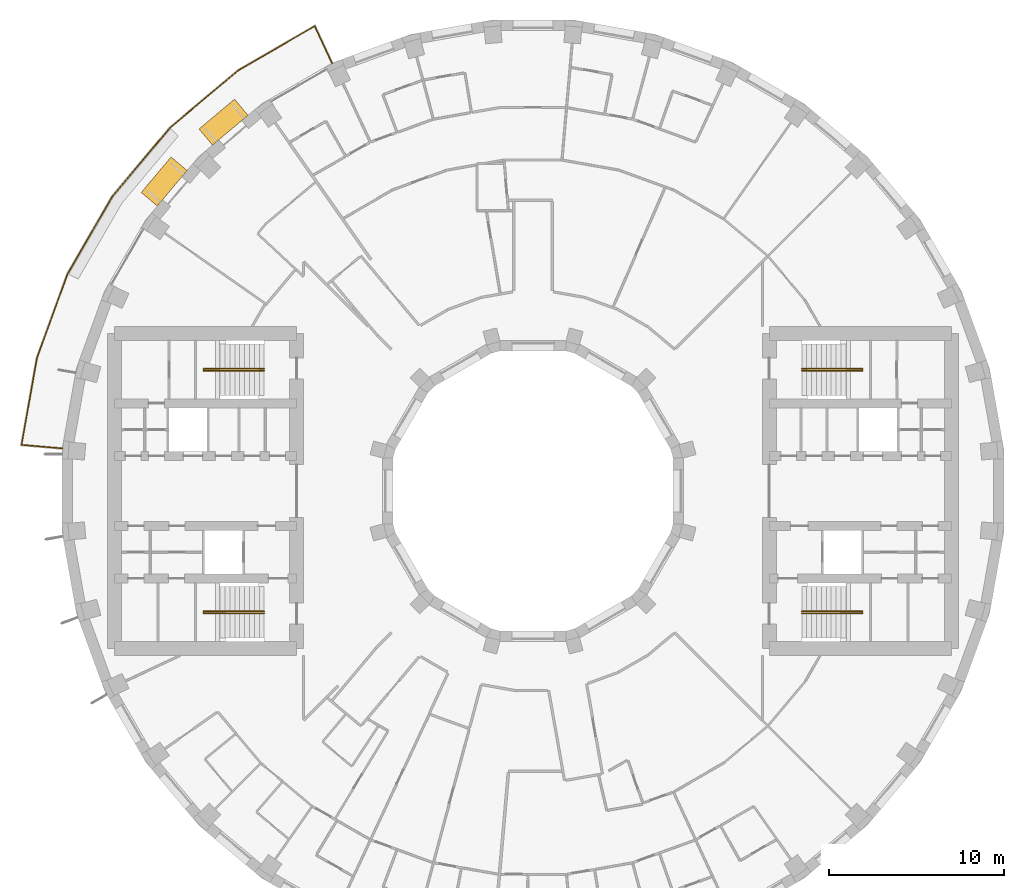
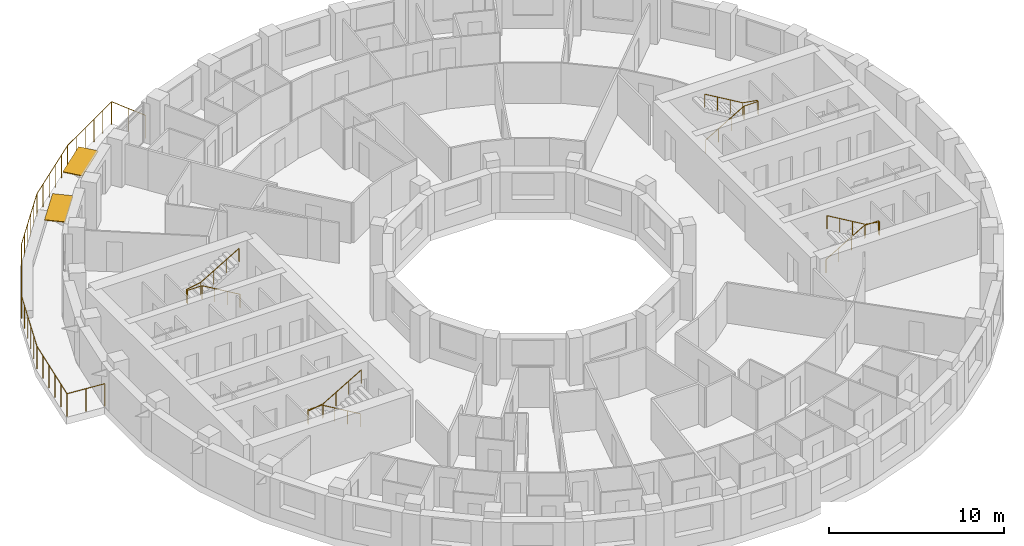
# One storey, part 15 of 15: 5 railings, 2 shading devices.
"""IFC4 building model written with IfcOpenShell, lengths in metres."""

from ifc_helpers import new_model, si_unit, direction, frame, origin, origin_2d, place, context, subcontext, project, spatial, rectangle, circle, extrude, material, layer, layer_set, type_object, element, save


model = new_model("IFC4")

# Units and contexts
model_context = context("Model", 3, precision=1e-05, world=origin(), true_north=direction((0.0, 1.0)))
body_context = subcontext(model_context, "Body", "Model", "MODEL_VIEW")
ifc_project = project(units=[si_unit("LENGTHUNIT", "METRE"), si_unit("AREAUNIT", "SQUARE_METRE"), si_unit("VOLUMEUNIT", "CUBIC_METRE"), si_unit("PLANEANGLEUNIT", "RADIAN"), si_unit("MASSUNIT", "GRAM", prefix="KILO")], contexts=[model_context])

# Site, building, storey
site_placement = place(None, origin())
site = spatial("IfcSite", under=ifc_project, at=site_placement, CompositionType="ELEMENT")
building_placement = place(site_placement, origin())
building = spatial("IfcBuilding", under=site, at=building_placement, Name="Saqina Gate Tower", CompositionType="ELEMENT")
storey_placement = place(building_placement, frame((0.0, 0.0, 108.39990234375)))
storey = spatial("IfcBuildingStorey", under=building, at=storey_placement, Name="L30", CompositionType="ELEMENT", Elevation=108.39990234375)

# Shading devices
ifc_material_1 = material(Name="Aluminium and fabric awning", Category="aluminium")
ifc_layer = layer(ifc_material_1, 0.050048828125)
ifc_layer_set = layer_set([ifc_layer], Name="AW-TERRACE")
shading_device_type = type_object("IfcShadingDeviceType", Name="AW-TERRACE", PredefinedType="AWNING", material=ifc_layer_set)
for number, where, z_axis, x_axis, name in (
    (1, (-17.6748046875, 21.064208984375, 2.52490234375), (0.0, 0.0, 1.0), (-0.766044443119, -0.642787609687, 0.0), "Terrace awning L30 facet 13"),
    (2, (-21.064208984375, 17.6748046875, 2.52490234375), (0.0, 0.0, 1.0), (-0.642787609687, -0.766044443119, 0.0), "Terrace awning L30 facet 14"),
):
    element("IfcShadingDevice", number, at=place(storey_placement, frame(where, z_axis=z_axis, x_axis=x_axis)), inside=storey, type_object=shading_device_type, Name=name, PredefinedType="AWNING", context=body_context, shape_type="SweptSolid", body=[
        extrude(rectangle(XDim=2.647705078125, YDim=1.199951171875, at=origin_2d()), origin(), (0.0, 0.0, 1.0), 0.050048828125),
    ])

# Railings
ifc_material_2 = material(Name="Stainless steel", Category="steel")
railing_type_1 = type_object("IfcRailingType", Name="RL-TERRACE", PredefinedType="GUARDRAIL", material=ifc_material_2)
railing_1_placement = place(storey_placement, frame((-11.457763671875, 24.382080078125, 0.0)))
element("IfcRailing", 3, at=railing_1_placement, inside=storey, type_object=railing_type_1, Name="Terrace guard L30", PredefinedType="GUARDRAIL", context=body_context, shape_type="SweptSolid", body=[
    extrude(circle(Radius=0.02392578125, at=origin_2d()), frame((0.0, 0.0, 1.576171875), z_axis=(-0.422600102855, 0.906316254443, 0.0), x_axis=(-0.906316254443, -0.422600102855, 0.0)), (0.0, 0.0, 1.0), 2.388916015625),
    extrude(circle(Radius=0.02392578125, at=origin_2d()), frame((-1.009521484375, 2.1650390625, 1.576171875), z_axis=(-0.86534767014, -0.501172036115, 0.0), x_axis=(0.501172036115, -0.86534767014, 0.0)), (0.0, 0.0, 1.0), 5.03271484375),
    extrude(circle(Radius=0.02392578125, at=origin_2d()), frame((-5.364501953125, -0.357177734375, 1.576171875), z_axis=(-0.766020862158, -0.642815711334, 0.0), x_axis=(0.642815711334, -0.766020862158, 0.0)), (0.0, 0.0, 1.0), 5.112548828125),
    extrude(circle(Radius=0.02392578125, at=origin_2d()), frame((-9.28076171875, -3.6435546875, 1.576171875), z_axis=(-0.642815711334, -0.766020862158, 0.0), x_axis=(0.766020862158, -0.642815711334, 0.0)), (0.0, 0.0, 1.0), 5.112548828125),
    extrude(circle(Radius=0.02392578125, at=origin_2d()), frame((-12.567138671875, -7.559814453125, 1.576171875), z_axis=(-0.500011827544, -0.866018575041, 0.0), x_axis=(0.866018575041, -0.500011827544, 0.0)), (0.0, 0.0, 1.0), 5.1123046875),
    extrude(circle(Radius=0.02392578125, at=origin_2d()), frame((-15.123291015625, -11.987060546875, 1.576171875), z_axis=(-0.342011445423, -0.939695786518, 0.0), x_axis=(0.939695786518, -0.342011445423, 0.0)), (0.0, 0.0, 1.0), 5.112548828125),
    extrude(circle(Radius=0.02392578125, at=origin_2d()), frame((-16.871826171875, -16.791259765625, 1.576171875), z_axis=(-0.174986307817, -0.984570866965, 0.0), x_axis=(0.984570866965, -0.174986307817, 0.0)), (0.0, 0.0, 1.0), 5.032470703125),
    extrude(circle(Radius=0.02392578125, at=origin_2d()), frame((-17.75244140625, -21.74609375, 1.576171875), z_axis=(0.996192497087, -0.087180896688, 0.0), x_axis=(0.087180896688, 0.996192497087, 0.0)), (0.0, 0.0, 1.0), 2.388671875),
    extrude(circle(Radius=0.02099609375, at=origin_2d()), origin(), (0.0, 0.0, 1.0), 1.552001953125),
    extrude(circle(Radius=0.02099609375, at=origin_2d()), frame((-0.5048828125, 1.08251953125, 0.0)), (0.0, 0.0, 1.0), 1.552001953125),
    extrude(circle(Radius=0.02099609375, at=origin_2d()), frame((-1.009521484375, 2.1650390625, 0.0)), (0.0, 0.0, 1.0), 1.552001953125),
    extrude(circle(Radius=0.02099609375, at=origin_2d()), frame((-1.880615234375, 1.66064453125, 0.0)), (0.0, 0.0, 1.0), 1.552001953125),
    extrude(circle(Radius=0.02099609375, at=origin_2d()), frame((-2.75146484375, 1.15625, 0.0)), (0.0, 0.0, 1.0), 1.552001953125),
    extrude(circle(Radius=0.02099609375, at=origin_2d()), frame((-3.62255859375, 0.651611328125, 0.0)), (0.0, 0.0, 1.0), 1.552001953125),
    extrude(circle(Radius=0.02099609375, at=origin_2d()), frame((-4.493408203125, 0.147216796875, 0.0)), (0.0, 0.0, 1.0), 1.552001953125),
    extrude(circle(Radius=0.02099609375, at=origin_2d()), frame((-5.364501953125, -0.357177734375, 0.0)), (0.0, 0.0, 1.0), 1.552001953125),
    extrude(circle(Radius=0.02099609375, at=origin_2d()), frame((-6.147705078125, -1.014404296875, 0.0)), (0.0, 0.0, 1.0), 1.552001953125),
    extrude(circle(Radius=0.02099609375, at=origin_2d()), frame((-6.930908203125, -1.671630859375, 0.0)), (0.0, 0.0, 1.0), 1.552001953125),
    extrude(circle(Radius=0.02099609375, at=origin_2d()), frame((-7.71435546875, -2.3291015625, 0.0)), (0.0, 0.0, 1.0), 1.552001953125),
    extrude(circle(Radius=0.02099609375, at=origin_2d()), frame((-8.49755859375, -2.986328125, 0.0)), (0.0, 0.0, 1.0), 1.552001953125),
    extrude(circle(Radius=0.02099609375, at=origin_2d()), frame((-9.28076171875, -3.6435546875, 0.0)), (0.0, 0.0, 1.0), 1.552001953125),
    extrude(circle(Radius=0.02099609375, at=origin_2d()), frame((-9.93798828125, -4.4267578125, 0.0)), (0.0, 0.0, 1.0), 1.552001953125),
    extrude(circle(Radius=0.02099609375, at=origin_2d()), frame((-10.59521484375, -5.2099609375, 0.0)), (0.0, 0.0, 1.0), 1.552001953125),
    extrude(circle(Radius=0.02099609375, at=origin_2d()), frame((-11.252685546875, -5.993408203125, 0.0)), (0.0, 0.0, 1.0), 1.552001953125),
    extrude(circle(Radius=0.02099609375, at=origin_2d()), frame((-11.909912109375, -6.776611328125, 0.0)), (0.0, 0.0, 1.0), 1.552001953125),
    extrude(circle(Radius=0.02099609375, at=origin_2d()), frame((-12.567138671875, -7.559814453125, 0.0)), (0.0, 0.0, 1.0), 1.552001953125),
    extrude(circle(Radius=0.02099609375, at=origin_2d()), frame((-13.078369140625, -8.4453125, 0.0)), (0.0, 0.0, 1.0), 1.552001953125),
    extrude(circle(Radius=0.02099609375, at=origin_2d()), frame((-13.589599609375, -9.330810546875, 0.0)), (0.0, 0.0, 1.0), 1.552001953125),
    extrude(circle(Radius=0.02099609375, at=origin_2d()), frame((-14.100830078125, -10.216064453125, 0.0)), (0.0, 0.0, 1.0), 1.552001953125),
    extrude(circle(Radius=0.02099609375, at=origin_2d()), frame((-14.612060546875, -11.1015625, 0.0)), (0.0, 0.0, 1.0), 1.552001953125),
    extrude(circle(Radius=0.02099609375, at=origin_2d()), frame((-15.123291015625, -11.987060546875, 0.0)), (0.0, 0.0, 1.0), 1.552001953125),
    extrude(circle(Radius=0.02099609375, at=origin_2d()), frame((-15.472900390625, -12.947998046875, 0.0)), (0.0, 0.0, 1.0), 1.552001953125),
    extrude(circle(Radius=0.02099609375, at=origin_2d()), frame((-15.82275390625, -13.90869140625, 0.0)), (0.0, 0.0, 1.0), 1.552001953125),
    extrude(circle(Radius=0.02099609375, at=origin_2d()), frame((-16.17236328125, -14.86962890625, 0.0)), (0.0, 0.0, 1.0), 1.552001953125),
    extrude(circle(Radius=0.02099609375, at=origin_2d()), frame((-16.522216796875, -15.830322265625, 0.0)), (0.0, 0.0, 1.0), 1.552001953125),
    extrude(circle(Radius=0.02099609375, at=origin_2d()), frame((-16.871826171875, -16.791259765625, 0.0)), (0.0, 0.0, 1.0), 1.552001953125),
    extrude(circle(Radius=0.02099609375, at=origin_2d()), frame((-17.0478515625, -17.7822265625, 0.0)), (0.0, 0.0, 1.0), 1.552001953125),
    extrude(circle(Radius=0.02099609375, at=origin_2d()), frame((-17.22412109375, -18.773193359375, 0.0)), (0.0, 0.0, 1.0), 1.552001953125),
    extrude(circle(Radius=0.02099609375, at=origin_2d()), frame((-17.400146484375, -19.76416015625, 0.0)), (0.0, 0.0, 1.0), 1.552001953125),
    extrude(circle(Radius=0.02099609375, at=origin_2d()), frame((-17.576416015625, -20.755126953125, 0.0)), (0.0, 0.0, 1.0), 1.552001953125),
    extrude(circle(Radius=0.02099609375, at=origin_2d()), frame((-17.75244140625, -21.74609375, 0.0)), (0.0, 0.0, 1.0), 1.552001953125),
    extrude(circle(Radius=0.02099609375, at=origin_2d()), frame((-16.5625, -21.85009765625, 0.0)), (0.0, 0.0, 1.0), 1.552001953125),
    extrude(circle(Radius=0.02099609375, at=origin_2d()), frame((-15.372802734375, -21.954345703125, 0.0)), (0.0, 0.0, 1.0), 1.552001953125),
])
ifc_material_3 = material(Name="Stainless steel", Category="steel")
railing_type_2 = type_object("IfcRailingType", Name="STAIR HANDRAIL", PredefinedType="HANDRAIL", material=ifc_material_3)
railing_2_placement = place(storey_placement, frame((15.35009765625, 6.86669921875, 0.1650390625)))
element("IfcRailing", 4, at=railing_2_placement, inside=storey, type_object=railing_type_2, Name="EXIT STAIR 1 HANDRAIL", PredefinedType="HANDRAIL", context=body_context, shape_type="SweptSolid", body=[
    extrude(circle(Radius=0.02392578125, at=origin_2d()), frame((0.0, 0.0, 0.92578125), z_axis=(0.86152411907, 0.0, 0.507716645641), x_axis=(0.0, 1.0, 0.0)), (0.0, 0.0, 1.0), 2.925048828125),
    extrude(circle(Radius=0.02392578125, at=origin_2d()), frame((2.52001953125, 0.0, 2.4111328125), z_axis=(1.0, 0.0, 0.0), x_axis=(0.0, 1.0, 0.0)), (0.0, 0.0, 1.0), 0.949951171875),
    extrude(circle(Radius=0.02392578125, at=origin_2d()), frame((3.469970703125, 0.0, 2.4111328125), z_axis=(0.0, 1.0, 0.0), x_axis=(-1.0, 0.0, 0.0)), (0.0, 0.0, 1.0), 0.11669921875),
    extrude(circle(Radius=0.02392578125, at=origin_2d()), frame((3.469970703125, 0.11669921875, 2.4111328125), z_axis=(-0.985241474778, 0.0, 0.171170197109), x_axis=(0.0, -1.0, 0.0)), (0.0, 0.0, 1.0), 0.964111328125),
    extrude(circle(Radius=0.02392578125, at=origin_2d()), frame((2.52001953125, 0.11669921875, 2.576171875), z_axis=(-0.861560626758, 0.0, 0.507654692109), x_axis=(0.0, -1.0, 0.0)), (0.0, 0.0, 1.0), 2.925048828125),
    extrude(circle(Radius=0.02099609375, at=origin_2d()), origin(), (0.0, 0.0, 1.0), 0.90185546875),
    extrude(circle(Radius=0.02099609375, at=origin_2d()), frame((0.840087890625, 0.0, 0.4951171875)), (0.0, 0.0, 1.0), 0.90185546875),
    extrude(circle(Radius=0.02099609375, at=origin_2d()), frame((1.679931640625, 0.0, 0.989990234375)), (0.0, 0.0, 1.0), 0.90185546875),
    extrude(circle(Radius=0.02099609375, at=origin_2d()), frame((2.52001953125, 0.0, 1.485107421875)), (0.0, 0.0, 1.0), 0.90185546875),
    extrude(circle(Radius=0.02099609375, at=origin_2d()), frame((3.469970703125, 0.0, 1.485107421875)), (0.0, 0.0, 1.0), 0.90185546875),
    extrude(circle(Radius=0.02099609375, at=origin_2d()), frame((3.469970703125, 0.11669921875, 1.485107421875)), (0.0, 0.0, 1.0), 0.90185546875),
    extrude(circle(Radius=0.02099609375, at=origin_2d()), frame((2.52001953125, 0.11669921875, 1.650146484375)), (0.0, 0.0, 1.0), 0.90185546875),
    extrude(circle(Radius=0.02099609375, at=origin_2d()), frame((1.679931640625, 0.11669921875, 2.14501953125)), (0.0, 0.0, 1.0), 0.90185546875),
    extrude(circle(Radius=0.02099609375, at=origin_2d()), frame((0.840087890625, 0.11669921875, 2.64013671875)), (0.0, 0.0, 1.0), 0.90185546875),
    extrude(circle(Radius=0.02099609375, at=origin_2d()), frame((0.0, 0.11669921875, 3.135009765625)), (0.0, 0.0, 1.0), 0.90185546875),
])
railing_3_placement = place(storey_placement, frame((15.35009765625, -6.86669921875, 0.1650390625)))
element("IfcRailing", 5, at=railing_3_placement, inside=storey, type_object=railing_type_2, Name="EXIT STAIR 2 HANDRAIL", PredefinedType="HANDRAIL", context=body_context, shape_type="SweptSolid", body=[
    extrude(circle(Radius=0.02392578125, at=origin_2d()), frame((0.0, 0.0, 0.92578125), z_axis=(0.86152411907, 0.0, 0.507716645641), x_axis=(0.0, 1.0, 0.0)), (0.0, 0.0, 1.0), 2.925048828125),
    extrude(circle(Radius=0.02392578125, at=origin_2d()), frame((2.52001953125, 0.0, 2.4111328125), z_axis=(1.0, 0.0, 0.0), x_axis=(0.0, 1.0, 0.0)), (0.0, 0.0, 1.0), 0.949951171875),
    extrude(circle(Radius=0.02392578125, at=origin_2d()), frame((3.469970703125, 0.0, 2.4111328125), z_axis=(0.0, -1.0, 0.0), x_axis=(1.0, 0.0, 0.0)), (0.0, 0.0, 1.0), 0.11669921875),
    extrude(circle(Radius=0.02392578125, at=origin_2d()), frame((3.469970703125, -0.11669921875, 2.4111328125), z_axis=(-0.985241474778, 0.0, 0.171170197109), x_axis=(0.0, -1.0, 0.0)), (0.0, 0.0, 1.0), 0.964111328125),
    extrude(circle(Radius=0.02392578125, at=origin_2d()), frame((2.52001953125, -0.11669921875, 2.576171875), z_axis=(-0.861560626758, 0.0, 0.507654692109), x_axis=(0.0, -1.0, 0.0)), (0.0, 0.0, 1.0), 2.925048828125),
    extrude(circle(Radius=0.02099609375, at=origin_2d()), origin(), (0.0, 0.0, 1.0), 0.90185546875),
    extrude(circle(Radius=0.02099609375, at=origin_2d()), frame((0.840087890625, 0.0, 0.4951171875)), (0.0, 0.0, 1.0), 0.90185546875),
    extrude(circle(Radius=0.02099609375, at=origin_2d()), frame((1.679931640625, 0.0, 0.989990234375)), (0.0, 0.0, 1.0), 0.90185546875),
    extrude(circle(Radius=0.02099609375, at=origin_2d()), frame((2.52001953125, 0.0, 1.485107421875)), (0.0, 0.0, 1.0), 0.90185546875),
    extrude(circle(Radius=0.02099609375, at=origin_2d()), frame((3.469970703125, 0.0, 1.485107421875)), (0.0, 0.0, 1.0), 0.90185546875),
    extrude(circle(Radius=0.02099609375, at=origin_2d()), frame((3.469970703125, -0.11669921875, 1.485107421875)), (0.0, 0.0, 1.0), 0.90185546875),
    extrude(circle(Radius=0.02099609375, at=origin_2d()), frame((2.52001953125, -0.11669921875, 1.650146484375)), (0.0, 0.0, 1.0), 0.90185546875),
    extrude(circle(Radius=0.02099609375, at=origin_2d()), frame((1.679931640625, -0.11669921875, 2.14501953125)), (0.0, 0.0, 1.0), 0.90185546875),
    extrude(circle(Radius=0.02099609375, at=origin_2d()), frame((0.840087890625, -0.11669921875, 2.64013671875)), (0.0, 0.0, 1.0), 0.90185546875),
    extrude(circle(Radius=0.02099609375, at=origin_2d()), frame((0.0, -0.11669921875, 3.135009765625)), (0.0, 0.0, 1.0), 0.90185546875),
])
railing_4_placement = place(storey_placement, frame((-15.35009765625, 6.86669921875, 0.1650390625)))
element("IfcRailing", 6, at=railing_4_placement, inside=storey, type_object=railing_type_2, Name="EXIT STAIR 3 HANDRAIL", PredefinedType="HANDRAIL", context=body_context, shape_type="SweptSolid", body=[
    extrude(circle(Radius=0.02392578125, at=origin_2d()), frame((0.0, 0.0, 0.92578125), z_axis=(-0.86152411907, 0.0, 0.507716645641), x_axis=(0.0, -1.0, 0.0)), (0.0, 0.0, 1.0), 2.925048828125),
    extrude(circle(Radius=0.02392578125, at=origin_2d()), frame((-2.52001953125, 0.0, 2.4111328125), z_axis=(-1.0, 0.0, 0.0), x_axis=(0.0, -1.0, 0.0)), (0.0, 0.0, 1.0), 0.949951171875),
    extrude(circle(Radius=0.02392578125, at=origin_2d()), frame((-3.469970703125, 0.0, 2.4111328125), z_axis=(0.0, 1.0, 0.0), x_axis=(-1.0, 0.0, 0.0)), (0.0, 0.0, 1.0), 0.11669921875),
    extrude(circle(Radius=0.02392578125, at=origin_2d()), frame((-3.469970703125, 0.11669921875, 2.4111328125), z_axis=(0.985241474778, 0.0, 0.171170197109), x_axis=(0.0, 1.0, 0.0)), (0.0, 0.0, 1.0), 0.964111328125),
    extrude(circle(Radius=0.02392578125, at=origin_2d()), frame((-2.52001953125, 0.11669921875, 2.576171875), z_axis=(0.861560626758, 0.0, 0.507654692109), x_axis=(0.0, 1.0, 0.0)), (0.0, 0.0, 1.0), 2.925048828125),
    extrude(circle(Radius=0.02099609375, at=origin_2d()), origin(), (0.0, 0.0, 1.0), 0.90185546875),
    extrude(circle(Radius=0.02099609375, at=origin_2d()), frame((-0.840087890625, 0.0, 0.4951171875)), (0.0, 0.0, 1.0), 0.90185546875),
    extrude(circle(Radius=0.02099609375, at=origin_2d()), frame((-1.679931640625, 0.0, 0.989990234375)), (0.0, 0.0, 1.0), 0.90185546875),
    extrude(circle(Radius=0.02099609375, at=origin_2d()), frame((-2.52001953125, 0.0, 1.485107421875)), (0.0, 0.0, 1.0), 0.90185546875),
    extrude(circle(Radius=0.02099609375, at=origin_2d()), frame((-3.469970703125, 0.0, 1.485107421875)), (0.0, 0.0, 1.0), 0.90185546875),
    extrude(circle(Radius=0.02099609375, at=origin_2d()), frame((-3.469970703125, 0.11669921875, 1.485107421875)), (0.0, 0.0, 1.0), 0.90185546875),
    extrude(circle(Radius=0.02099609375, at=origin_2d()), frame((-2.52001953125, 0.11669921875, 1.650146484375)), (0.0, 0.0, 1.0), 0.90185546875),
    extrude(circle(Radius=0.02099609375, at=origin_2d()), frame((-1.679931640625, 0.11669921875, 2.14501953125)), (0.0, 0.0, 1.0), 0.90185546875),
    extrude(circle(Radius=0.02099609375, at=origin_2d()), frame((-0.840087890625, 0.11669921875, 2.64013671875)), (0.0, 0.0, 1.0), 0.90185546875),
    extrude(circle(Radius=0.02099609375, at=origin_2d()), frame((0.0, 0.11669921875, 3.135009765625)), (0.0, 0.0, 1.0), 0.90185546875),
])
railing_5_placement = place(storey_placement, frame((-15.35009765625, -6.86669921875, 0.1650390625)))
element("IfcRailing", 7, at=railing_5_placement, inside=storey, type_object=railing_type_2, Name="EXIT STAIR 4 HANDRAIL", PredefinedType="HANDRAIL", context=body_context, shape_type="SweptSolid", body=[
    extrude(circle(Radius=0.02392578125, at=origin_2d()), frame((0.0, 0.0, 0.92578125), z_axis=(-0.86152411907, 0.0, 0.507716645641), x_axis=(0.0, -1.0, 0.0)), (0.0, 0.0, 1.0), 2.925048828125),
    extrude(circle(Radius=0.02392578125, at=origin_2d()), frame((-2.52001953125, 0.0, 2.4111328125), z_axis=(-1.0, 0.0, 0.0), x_axis=(0.0, -1.0, 0.0)), (0.0, 0.0, 1.0), 0.949951171875),
    extrude(circle(Radius=0.02392578125, at=origin_2d()), frame((-3.469970703125, 0.0, 2.4111328125), z_axis=(0.0, -1.0, 0.0), x_axis=(1.0, 0.0, 0.0)), (0.0, 0.0, 1.0), 0.11669921875),
    extrude(circle(Radius=0.02392578125, at=origin_2d()), frame((-3.469970703125, -0.11669921875, 2.4111328125), z_axis=(0.985241474778, 0.0, 0.171170197109), x_axis=(0.0, 1.0, 0.0)), (0.0, 0.0, 1.0), 0.964111328125),
    extrude(circle(Radius=0.02392578125, at=origin_2d()), frame((-2.52001953125, -0.11669921875, 2.576171875), z_axis=(0.861560626758, 0.0, 0.507654692109), x_axis=(0.0, 1.0, 0.0)), (0.0, 0.0, 1.0), 2.925048828125),
    extrude(circle(Radius=0.02099609375, at=origin_2d()), origin(), (0.0, 0.0, 1.0), 0.90185546875),
    extrude(circle(Radius=0.02099609375, at=origin_2d()), frame((-0.840087890625, 0.0, 0.4951171875)), (0.0, 0.0, 1.0), 0.90185546875),
    extrude(circle(Radius=0.02099609375, at=origin_2d()), frame((-1.679931640625, 0.0, 0.989990234375)), (0.0, 0.0, 1.0), 0.90185546875),
    extrude(circle(Radius=0.02099609375, at=origin_2d()), frame((-2.52001953125, 0.0, 1.485107421875)), (0.0, 0.0, 1.0), 0.90185546875),
    extrude(circle(Radius=0.02099609375, at=origin_2d()), frame((-3.469970703125, 0.0, 1.485107421875)), (0.0, 0.0, 1.0), 0.90185546875),
    extrude(circle(Radius=0.02099609375, at=origin_2d()), frame((-3.469970703125, -0.11669921875, 1.485107421875)), (0.0, 0.0, 1.0), 0.90185546875),
    extrude(circle(Radius=0.02099609375, at=origin_2d()), frame((-2.52001953125, -0.11669921875, 1.650146484375)), (0.0, 0.0, 1.0), 0.90185546875),
    extrude(circle(Radius=0.02099609375, at=origin_2d()), frame((-1.679931640625, -0.11669921875, 2.14501953125)), (0.0, 0.0, 1.0), 0.90185546875),
    extrude(circle(Radius=0.02099609375, at=origin_2d()), frame((-0.840087890625, -0.11669921875, 2.64013671875)), (0.0, 0.0, 1.0), 0.90185546875),
    extrude(circle(Radius=0.02099609375, at=origin_2d()), frame((0.0, -0.11669921875, 3.135009765625)), (0.0, 0.0, 1.0), 0.90185546875),
])

save(model, "model.ifc")
